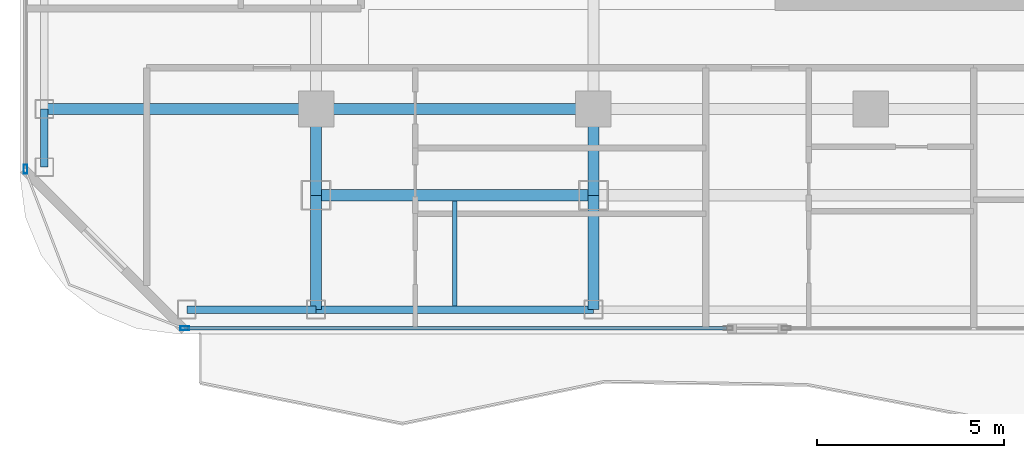
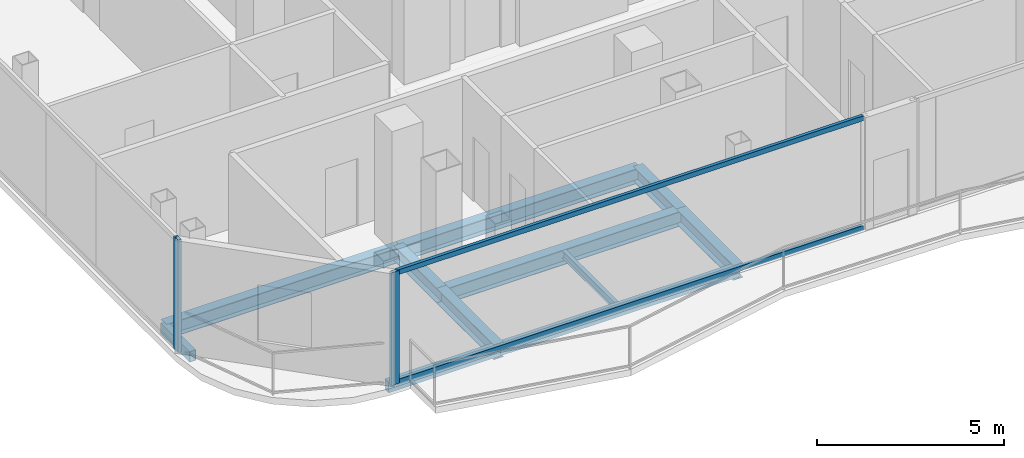
# One storey, part 2 of 22: 11 beams, 4 members, 2 elements without a shape of their own.
"""IFC4 building model written with IfcOpenShell, lengths in metres."""

from ifc_helpers import new_model, si_unit, direction, frame, origin, origin_2d, place, context, subcontext, project, spatial, hollow_rectangle, i_section, extrude, material, layer, layer_set, material_profile, profile_set, type_object, element, aggregate, save


model = new_model("IFC4")

# Units and contexts
model_context = context("Model", 3, precision=1e-05, world=origin(), true_north=direction((0.0, 1.0)))
body_context = subcontext(model_context, "Body", "Model", "MODEL_VIEW")
ifc_project = project(units=[si_unit("LENGTHUNIT", "METRE"), si_unit("AREAUNIT", "SQUARE_METRE"), si_unit("VOLUMEUNIT", "CUBIC_METRE"), si_unit("PLANEANGLEUNIT", "RADIAN"), si_unit("MASSUNIT", "GRAM", prefix="KILO")], contexts=[model_context])

# Site, building, storey
site_placement = place(None, origin())
site = spatial("IfcSite", under=ifc_project, at=site_placement, CompositionType="ELEMENT")
building_placement = place(site_placement, origin())
building = spatial("IfcBuilding", under=site, at=building_placement, Name="Khorvyn Point Tower", CompositionType="ELEMENT")
storey_placement = place(building_placement, frame((0.0, 0.0, 305.39990234375)))
storey = spatial("IfcBuildingStorey", under=building, at=storey_placement, Name="L75", CompositionType="ELEMENT", Elevation=305.39990234375)

# Curtain wall, member
ifc_material_1 = material(Name="Anodised aluminium 6063-T6 and laminated Low-E glass", Category="aluminium")
ifc_layer = layer(ifc_material_1, 0.18994140625)
ifc_layer_set = layer_set([ifc_layer], Name="Stick-Built High-Wind Curtain Wall CW-SYS-04")
curtain_wall_type = type_object("IfcCurtainWallType", Name="Stick-Built High-Wind Curtain Wall CW-SYS-04", PredefinedType="NOTDEFINED", material=ifc_layer_set)
curtain_wall_1_placement = place(storey_placement, origin())
curtain_wall_1 = element("IfcCurtainWall", 1, at=curtain_wall_1_placement, inside=storey, type_object=curtain_wall_type, Name="Curtain Wall", PredefinedType="NOTDEFINED")
ifc_material_2 = material(Name="Anodised aluminium 6063-T6", Category="aluminium")
ifc_material_profile_1 = material_profile(ifc_material_2, hollow_rectangle(XDim=0.10009765625, YDim=0.239990234375, WallThickness=0.0048828125, at=origin_2d()))
ifc_profile_set_1 = profile_set([ifc_material_profile_1], Name="Anodised aluminium 6063-T6 ALU-MUL-100x240")
member_type_1 = type_object("IfcMemberType", Name="Anodised Aluminium 6063-T6 Mullion ALU-MUL-100x240", PredefinedType="MULLION", material=ifc_profile_set_1)
member_1_placement = place(storey_placement, frame((-18.300048828125, -20.64990234375, 0.0), z_axis=(0.0, 0.0, 1.0), x_axis=(0.0, -1.0, 0.0)))
member_1 = element("IfcMember", 2, at=member_1_placement, type_object=member_type_1, Name="Transom", PredefinedType="MULLION", context=body_context, shape_type="SweptSolid", body=[
    extrude(hollow_rectangle(XDim=0.10009765625, YDim=0.239990234375, WallThickness=0.0048828125, at=origin_2d()), origin(), (0.0, 0.0, 1.0), 3.68017578125),
])

curtain_wall_2_placement = place(storey_placement, origin())
curtain_wall_2 = element("IfcCurtainWall", 3, at=curtain_wall_2_placement, inside=storey, type_object=curtain_wall_type, Name="Curtain Wall", PredefinedType="NOTDEFINED")
member_2_placement = place(storey_placement, frame((-22.550048828125, -16.39990234375, 0.0), z_axis=(0.0, 0.0, 1.0), x_axis=(-1.0, 0.0, 0.0)))
member_2 = element("IfcMember", 4, at=member_2_placement, type_object=member_type_1, Name="Transom", PredefinedType="MULLION", context=body_context, shape_type="SweptSolid", body=[
    extrude(hollow_rectangle(XDim=0.10009765625, YDim=0.239990234375, WallThickness=0.0048828125, at=origin_2d()), origin(), (0.0, 0.0, 1.0), 3.68017578125),
])
aggregate(curtain_wall_2, [member_2])

# Member
ifc_material_profile_2 = material_profile(ifc_material_2, hollow_rectangle(XDim=0.10009765625, YDim=0.159912109375, WallThickness=0.00439453125, at=origin_2d()))
ifc_profile_set_2 = profile_set([ifc_material_profile_2], Name="Anodised aluminium 6063-T6 ALU-TRN-100x160")
member_type_2 = type_object("IfcMemberType", Name="Anodised Aluminium 6063-T6 Transom ALU-TRN-100x160", PredefinedType="USERDEFINED", material=ifc_profile_set_2)
member_3_placement = place(storey_placement, frame((-3.846923828125, -20.64990234375, 0.050048828125), z_axis=(-1.0, 0.0, 0.0), x_axis=(0.0, -1.0, 0.0)))
member_3 = element("IfcMember", 5, at=member_3_placement, type_object=member_type_2, Name="Transom", ObjectType="TRANSOM", PredefinedType="USERDEFINED", context=body_context, shape_type="SweptSolid", body=[
    extrude(hollow_rectangle(XDim=0.10009765625, YDim=0.159912109375, WallThickness=0.00439453125, at=origin_2d()), origin(), (0.0, 0.0, 1.0), 14.403076171875),
])

member_4_placement = place(storey_placement, frame((-3.846923828125, -20.64990234375, 3.630126953125), z_axis=(-1.0, 0.0, 0.0), x_axis=(0.0, -1.0, 0.0)))
member_4 = element("IfcMember", 6, at=member_4_placement, type_object=member_type_2, Name="Transom", ObjectType="TRANSOM", PredefinedType="USERDEFINED", context=body_context, shape_type="SweptSolid", body=[
    extrude(hollow_rectangle(XDim=0.10009765625, YDim=0.159912109375, WallThickness=0.00439453125, at=origin_2d()), origin(), (0.0, 0.0, 1.0), 14.403076171875),
])

aggregate(curtain_wall_1, [member_1, member_3, member_4])

# Beams
ifc_material_3 = material(Name="Steel S355", Category="steel")
ifc_material_profile_3 = material_profile(ifc_material_3, i_section(OverallWidth=0.125, OverallDepth=0.25, WebThickness=0.006103515625, FlangeThickness=0.009033203125, at=origin_2d()))
ifc_profile_set_3 = profile_set([ifc_material_profile_3], Name="Steel S355 H250x125x6x9")
beam_type_1 = type_object("IfcBeamType", Name="Steel S355 Joist H250x125x6x9", PredefinedType="JOIST", material=ifc_profile_set_3)
beam_1_placement = place(storey_placement, frame((-11.10009765625, -20.050048828125, -0.344970703125), z_axis=(0.0, 1.0, 0.0), x_axis=(-1.0, 0.0, 0.0)))
element("IfcBeam", 7, at=beam_1_placement, inside=storey, type_object=beam_type_1, Name="Beam", PredefinedType="JOIST", context=body_context, shape_type="SweptSolid", body=[
    extrude(i_section(OverallWidth=0.125, OverallDepth=0.25, WebThickness=0.006103515625, FlangeThickness=0.009033203125, at=origin_2d()), origin(), (0.0, 0.0, 1.0), 2.800048828125),
])
ifc_material_profile_4 = material_profile(ifc_material_3, i_section(OverallWidth=0.300048828125, OverallDepth=0.488037109375, WebThickness=0.010986328125, FlangeThickness=0.01806640625, at=origin_2d()))
ifc_profile_set_4 = profile_set([ifc_material_profile_4], Name="Steel S355 H488x300x11x18")
beam_type_2 = type_object("IfcBeamType", Name="Steel S355 Spandrel H488x300x11x18", PredefinedType="SPANDREL", material=ifc_profile_set_4)
beam_2_placement = place(storey_placement, frame((-22.050048828125, -14.800048828125, -0.4638671875), z_axis=(1.0, 0.0, 0.0), x_axis=(0.0, 1.0, 0.0)))
element("IfcBeam", 8, at=beam_2_placement, inside=storey, type_object=beam_type_2, Name="Beam", PredefinedType="SPANDREL", context=body_context, shape_type="SweptSolid", body=[
    extrude(i_section(OverallWidth=0.300048828125, OverallDepth=0.488037109375, WebThickness=0.010986328125, FlangeThickness=0.01806640625, at=origin_2d()), origin(), (0.0, 0.0, 1.0), 7.25),
])
for number, where, z_axis, x_axis, name in (
    (9, (-14.800048828125, -14.800048828125, -0.4638671875), (1.0, 0.0, 0.0), (0.0, 1.0, 0.0), "Beam"),
    (10, (-14.800048828125, -17.10009765625, -0.4638671875), (1.0, 0.0, 0.0), (0.0, 1.0, 0.0), "Beam"),
):
    element("IfcBeam", number, at=place(storey_placement, frame(where, z_axis=z_axis, x_axis=x_axis)), inside=storey, type_object=beam_type_2, Name=name, PredefinedType="SPANDREL", context=body_context, shape_type="SweptSolid", body=[
        extrude(i_section(OverallWidth=0.300048828125, OverallDepth=0.488037109375, WebThickness=0.010986328125, FlangeThickness=0.01806640625, at=origin_2d()), origin(), (0.0, 0.0, 1.0), 7.400146484375),
    ])
beam_3_placement = place(storey_placement, frame((-14.800048828125, -20.14990234375, -0.4638671875), z_axis=(0.0, 1.0, 0.0), x_axis=(-1.0, 0.0, 0.0)))
element("IfcBeam", 11, at=beam_3_placement, inside=storey, type_object=beam_type_2, Name="Beam", PredefinedType="SPANDREL", context=body_context, shape_type="SweptSolid", body=[
    extrude(i_section(OverallWidth=0.300048828125, OverallDepth=0.488037109375, WebThickness=0.010986328125, FlangeThickness=0.01806640625, at=origin_2d()), origin(), (0.0, 0.0, 1.0), 3.0498046875),
])
beam_4_placement = place(storey_placement, frame((-14.800048828125, -17.10009765625, -0.4638671875), z_axis=(0.0, 1.0, 0.0), x_axis=(-1.0, 0.0, 0.0)))
element("IfcBeam", 12, at=beam_4_placement, inside=storey, type_object=beam_type_2, Name="Beam", PredefinedType="SPANDREL", context=body_context, shape_type="SweptSolid", body=[
    extrude(i_section(OverallWidth=0.300048828125, OverallDepth=0.488037109375, WebThickness=0.010986328125, FlangeThickness=0.01806640625, at=origin_2d()), origin(), (0.0, 0.0, 1.0), 2.300048828125),
])
beam_5_placement = place(storey_placement, frame((-7.39990234375, -20.14990234375, -0.4638671875), z_axis=(0.0, 1.0, 0.0), x_axis=(-1.0, 0.0, 0.0)))
element("IfcBeam", 13, at=beam_5_placement, inside=storey, type_object=beam_type_2, Name="Beam", PredefinedType="SPANDREL", context=body_context, shape_type="SweptSolid", body=[
    extrude(i_section(OverallWidth=0.300048828125, OverallDepth=0.488037109375, WebThickness=0.010986328125, FlangeThickness=0.01806640625, at=origin_2d()), origin(), (0.0, 0.0, 1.0), 3.0498046875),
])
beam_6_placement = place(storey_placement, frame((-7.39990234375, -17.10009765625, -0.4638671875), z_axis=(0.0, 1.0, 0.0), x_axis=(-1.0, 0.0, 0.0)))
element("IfcBeam", 14, at=beam_6_placement, inside=storey, type_object=beam_type_2, Name="Beam", PredefinedType="SPANDREL", context=body_context, shape_type="SweptSolid", body=[
    extrude(i_section(OverallWidth=0.300048828125, OverallDepth=0.488037109375, WebThickness=0.010986328125, FlangeThickness=0.01806640625, at=origin_2d()), origin(), (0.0, 0.0, 1.0), 2.300048828125),
])
ifc_material_profile_5 = material_profile(ifc_material_3, hollow_rectangle(XDim=0.199951171875, YDim=0.35009765625, WallThickness=0.013916015625, at=origin_2d()))
ifc_profile_set_5 = profile_set([ifc_material_profile_5], Name="Steel S355 RHS350x200x14")
beam_type_3 = type_object("IfcBeamType", Name="Steel S355 Spandrel RHS350x200x14", PredefinedType="SPANDREL", material=ifc_profile_set_5)
beam_7_placement = place(storey_placement, frame((-18.25, -20.14990234375, -0.39501953125), z_axis=(1.0, 0.0, 0.0), x_axis=(0.0, 1.0, 0.0)))
element("IfcBeam", 15, at=beam_7_placement, inside=storey, type_object=beam_type_3, Name="Beam", PredefinedType="SPANDREL", context=body_context, shape_type="SweptSolid", body=[
    extrude(hollow_rectangle(XDim=0.199951171875, YDim=0.35009765625, WallThickness=0.013916015625, at=origin_2d()), origin(), (0.0, 0.0, 1.0), 3.449951171875),
])
beam_8_placement = place(storey_placement, frame((-14.800048828125, -20.14990234375, -0.39501953125), z_axis=(1.0, 0.0, 0.0), x_axis=(0.0, 1.0, 0.0)))
element("IfcBeam", 16, at=beam_8_placement, inside=storey, type_object=beam_type_3, Name="Beam", PredefinedType="SPANDREL", context=body_context, shape_type="SweptSolid", body=[
    extrude(hollow_rectangle(XDim=0.199951171875, YDim=0.35009765625, WallThickness=0.013916015625, at=origin_2d()), origin(), (0.0, 0.0, 1.0), 7.400146484375),
])
beam_9_placement = place(storey_placement, frame((-22.050048828125, -16.35009765625, -0.39501953125), z_axis=(0.0, 1.0, 0.0), x_axis=(-1.0, 0.0, 0.0)))
element("IfcBeam", 17, at=beam_9_placement, inside=storey, type_object=beam_type_3, Name="Beam", PredefinedType="SPANDREL", context=body_context, shape_type="SweptSolid", body=[
    extrude(hollow_rectangle(XDim=0.199951171875, YDim=0.35009765625, WallThickness=0.013916015625, at=origin_2d()), origin(), (0.0, 0.0, 1.0), 1.550048828125),
])

save(model, "model.ifc")
